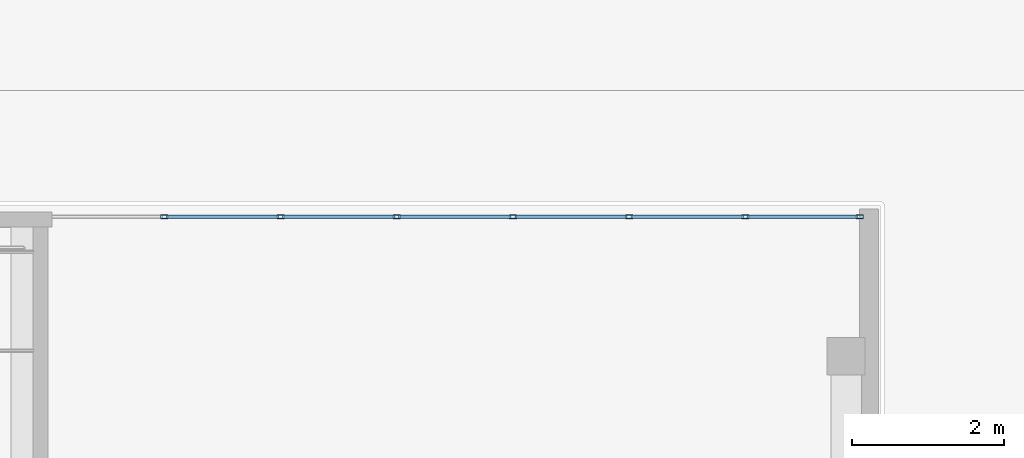
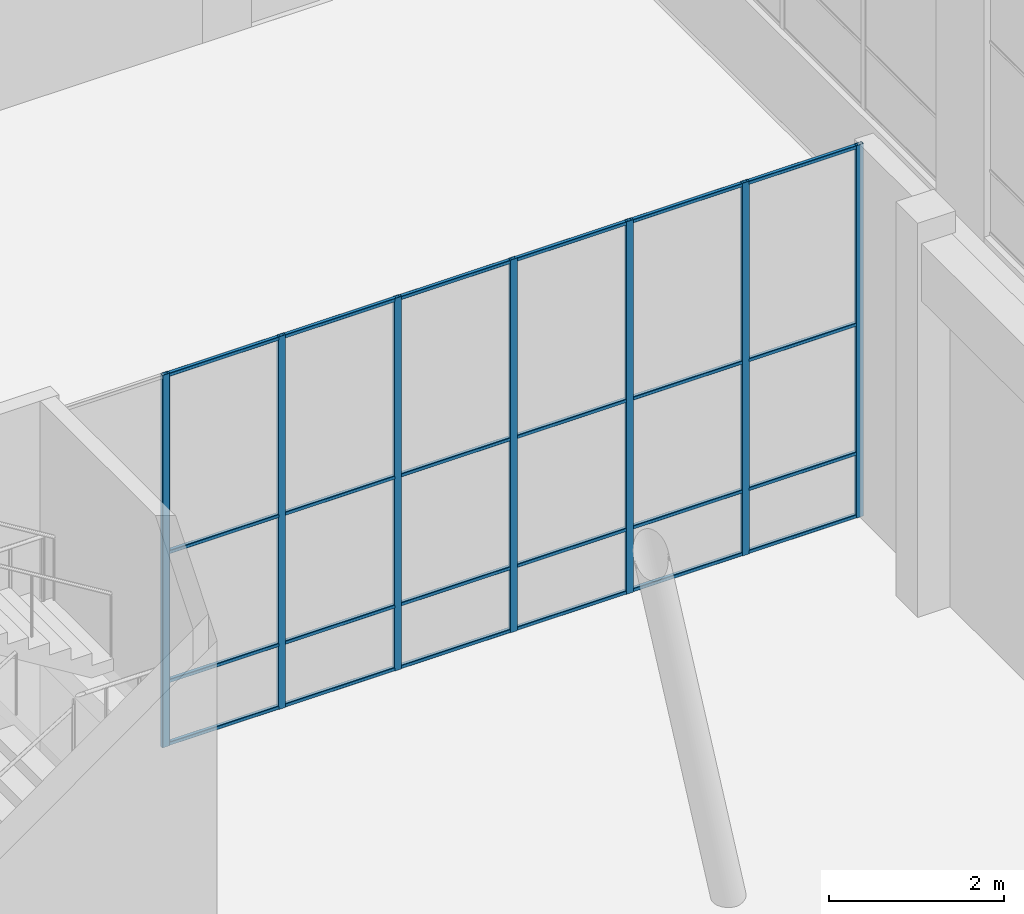
# One storey, part 24 of 72: 31 members, 1 element without a shape of its own.
"""IFC4 building model written with IfcOpenShell, lengths in metres."""

import ifcopenshell
import ifcopenshell.guid

model = None  # the IFC model being written
_history = None  # IfcOwnerHistory: only IFC2X3 demands one
_inside = {}  # id of a spatial element -> (the spatial element, [elements in it])
_under = {}  # id of a project, library or spatial element -> (it, [spatial elements below it])
_declared = {}  # id of a project -> (the project, [libraries it declares])
_typed = {}  # id of a type object -> (the type object, [elements of that type])
_made_of = {}  # id of a material, layer set ... -> (it, [elements and type objects made of it])


def new_model(schema):
    """Start an empty IFC model of exactly this schema.

    Asked for "IFC4X3", IfcOpenShell would pick the latest addendum, in which some entities
    have other attributes; the version numbers below select the first issue.
    IFC2X3 requires an IfcOwnerHistory on every rooted entity: one is made here for all.
    """
    global model, _history
    if schema == "IFC4X3":
        model = ifcopenshell.file(schema_version=(4, 3, 0, 0))
    else:
        model = ifcopenshell.file(schema=schema)
    _inside.clear()
    _under.clear()
    _declared.clear()
    _typed.clear()
    _made_of.clear()
    _history = None
    if model.schema == "IFC2X3":
        org = make("IfcOrganization", Name="unknown")
        user = make(
            "IfcPersonAndOrganization",
            ThePerson=make("IfcPerson", FamilyName="unknown"),
            TheOrganization=org,
        )
        app = make(
            "IfcApplication",
            ApplicationDeveloper=org,
            Version="unknown",
            ApplicationFullName="unknown",
            ApplicationIdentifier="unknown",
        )
        _history = make(
            "IfcOwnerHistory",
            OwningUser=user,
            OwningApplication=app,
            ChangeAction="ADDED",
            CreationDate=0,
        )
    return model


def make(cls, **values):
    """One entity of the class cls with the attributes given. An attribute that is None is left unset."""
    return model.create_entity(
        cls, **{name: value for name, value in values.items() if value is not None}
    )


def rooted(cls, **values):
    """An entity with a GlobalId (a new one), such as an element, a storey or a relation."""
    return make(cls, GlobalId=ifcopenshell.guid.new(), OwnerHistory=_history, **values)


def si_unit(unit_type, name, prefix=None):
    """IfcSIUnit, for example si_unit("LENGTHUNIT", "METRE", prefix="MILLI")."""
    return make("IfcSIUnit", UnitType=unit_type, Prefix=prefix, Name=name)


def assignment(units):
    """IfcUnitAssignment: the units of a project."""
    return None if units is None else make("IfcUnitAssignment", Units=units)


def point(xyz):
    """IfcCartesianPoint."""
    return None if xyz is None else make("IfcCartesianPoint", Coordinates=xyz)


def direction(xyz):
    """IfcDirection."""
    return None if xyz is None else make("IfcDirection", DirectionRatios=xyz)


def frame(location, z_axis=None, x_axis=None):
    """IfcAxis2Placement3D, a coordinate frame: its origin and axes. An axis left out is left unset."""
    return make(
        "IfcAxis2Placement3D",
        Location=point(location),
        Axis=direction(z_axis),
        RefDirection=direction(x_axis),
    )


def frame_2d(location, x_axis=None):
    """IfcAxis2Placement2D, a coordinate frame in the plane: its origin and x axis."""
    return make(
        "IfcAxis2Placement2D", Location=point(location), RefDirection=direction(x_axis)
    )


def origin():
    """The frame at (0, 0, 0) with its axes left unset."""
    return frame((0.0, 0.0, 0.0))


def origin_2d():
    """The frame at (0, 0) in the plane with its x axis left unset."""
    return frame_2d((0.0, 0.0))


def place(relative_to, where):
    """IfcLocalPlacement: puts the frame where relative to a parent placement (None: the world)."""
    return make(
        "IfcLocalPlacement", PlacementRelTo=relative_to, RelativePlacement=where
    )


def context(
    kind, dimensions, precision=None, world=None, true_north=None, identifier=None
):
    """IfcGeometricRepresentationContext, for example the 3D "Model" context."""
    return make(
        "IfcGeometricRepresentationContext",
        ContextIdentifier=identifier,
        ContextType=kind,
        CoordinateSpaceDimension=dimensions,
        Precision=precision,
        WorldCoordinateSystem=world,
        TrueNorth=true_north,
    )


def subcontext(parent, identifier, kind, view, scale=None):
    """IfcGeometricRepresentationSubContext, for example "Body" below "Model"."""
    return make(
        "IfcGeometricRepresentationSubContext",
        ContextIdentifier=identifier,
        ContextType=kind,
        ParentContext=parent,
        TargetScale=scale,
        TargetView=view,
    )


def project(units=None, contexts=None):
    """IfcProject with its units and contexts."""
    return rooted(
        "IfcProject",
        Name="project",
        RepresentationContexts=contexts,
        UnitsInContext=assignment(units),
    )


def spatial(cls, under=None, at=None, **own):
    """A site, building, storey or space (cls), placed at a placement, below another one or the project."""
    s = rooted(cls, ObjectPlacement=at, **own)
    if under is not None:
        _under.setdefault(under.id(), (under, []))[1].append(s)
    return s


def profile(cls, at=None, kind="AREA", **sizes):
    """A parametric profile (cls). Its sizes go by their IFC names, for example OverallWidth=200.0."""
    return make(cls, ProfileType=kind, Position=at, **sizes)


def hollow_rectangle(**sizes):
    """IfcRectangleHollowProfileDef."""
    return profile("IfcRectangleHollowProfileDef", **sizes)


def extrude(swept, where, along, depth):
    """IfcExtrudedAreaSolid: the profile swept, set in the frame where, extruded along a direction by depth."""
    return make(
        "IfcExtrudedAreaSolid",
        SweptArea=swept,
        Position=where,
        ExtrudedDirection=direction(along),
        Depth=depth,
    )


def shape(context_of_items, identifier, shape_type, items):
    """IfcShapeRepresentation: the items that make up one representation, for example the "Body"."""
    return make(
        "IfcShapeRepresentation",
        ContextOfItems=context_of_items,
        RepresentationIdentifier=identifier,
        RepresentationType=shape_type,
        Items=items,
    )


def material(Name=None, Category=None):
    """IfcMaterial."""
    return make("IfcMaterial", Name=Name, Category=Category)


def layer(
    of_material, thickness, ventilated=None, Name=None, Category=None, Priority=None
):
    """IfcMaterialLayer: one layer of a wall or slab, of a material (None: an air gap)."""
    return make(
        "IfcMaterialLayer",
        Material=of_material,
        LayerThickness=thickness,
        IsVentilated=ventilated,
        Name=Name,
        Category=Category,
        Priority=Priority,
    )


def layer_set(layers, Name=None):
    """IfcMaterialLayerSet."""
    return make("IfcMaterialLayerSet", MaterialLayers=layers, LayerSetName=Name)


def material_profile(
    of_material, cross_section, Name=None, Category=None, Priority=None
):
    """IfcMaterialProfile: a cross section and its material."""
    return make(
        "IfcMaterialProfile",
        Name=Name,
        Material=of_material,
        Profile=cross_section,
        Priority=Priority,
        Category=Category,
    )


def profile_set(profiles, Name=None, composite=None):
    """IfcMaterialProfileSet."""
    return make(
        "IfcMaterialProfileSet",
        Name=Name,
        MaterialProfiles=profiles,
        CompositeProfile=composite,
    )


def made_of(thing, what):
    """Note that an element or type object is made of a material, layer set ...; save() writes the relation."""
    if what is not None:
        _made_of.setdefault(what.id(), (what, []))[1].append(thing)
    return thing


def type_object(cls, material=None, **own):
    """A type object (cls), such as IfcWallType, which elements share."""
    return made_of(rooted(cls, **own), material)


def element(
    cls,
    number,
    at=None,
    inside=None,
    cuts=None,
    type_object=None,
    material=None,
    context=None,
    identifier="Body",
    shape_type=None,
    held_by="IfcProductDefinitionShape",
    body=None,
    shapes=None,
    **own,
):
    """One element of the class cls, such as IfcWall. Its Tag is "e" and its number.

    at: its placement. inside: the storey or other place that contains it. cuts: it is an
    opening in that element (IfcRelVoidsElement). A single representation is given by context,
    identifier, shape_type and body (its items); several are given by shapes. held_by: the class
    of the entity that holds the representations. save() writes the other relations.
    """
    e = rooted(cls, Tag="e%d" % number, ObjectPlacement=at, **own)
    if body is not None:
        shapes = [shape(context, identifier, shape_type, body)]
    if shapes is not None:
        e.Representation = make(held_by, Representations=shapes)
    if inside is not None:
        _inside.setdefault(inside.id(), (inside, []))[1].append(e)
    if cuts is not None:
        rooted(
            "IfcRelVoidsElement", RelatingBuildingElement=cuts, RelatedOpeningElement=e
        )
    if type_object is not None:
        _typed.setdefault(type_object.id(), (type_object, []))[1].append(e)
    return made_of(e, material)


def aggregate(whole, parts):
    """IfcRelAggregates: a whole, such as a stair, and the parts it consists of."""
    return rooted("IfcRelAggregates", RelatingObject=whole, RelatedObjects=parts)


def save(model, path):
    """Write the relations noted so far, then the file.

    IfcRelAggregates (storeys below a building ...), IfcRelContainedInSpatialStructure (elements
    in a storey), IfcRelDefinesByType, IfcRelAssociatesMaterial and IfcRelDeclares: one each for
    every whole, place, type object, material and project.
    """
    for whole, parts in _under.values():
        aggregate(whole, parts)
    for where, things in _inside.values():
        rooted(
            "IfcRelContainedInSpatialStructure",
            RelatedElements=things,
            RelatingStructure=where,
        )
    for kind, things in _typed.values():
        rooted("IfcRelDefinesByType", RelatedObjects=things, RelatingType=kind)
    for what, things in _made_of.values():
        rooted("IfcRelAssociatesMaterial", RelatedObjects=things, RelatingMaterial=what)
    for by, libraries in _declared.values():
        rooted("IfcRelDeclares", RelatingContext=by, RelatedDefinitions=libraries)
    model.write(path)


model = new_model("IFC4")

# Units and contexts
model_context = context("Model", 3, precision=1e-05, world=origin(), true_north=direction((0.0, 1.0)))
body_context = subcontext(model_context, "Body", "Model", "MODEL_VIEW")
ifc_project = project(units=[si_unit("LENGTHUNIT", "METRE"), si_unit("AREAUNIT", "SQUARE_METRE"), si_unit("VOLUMEUNIT", "CUBIC_METRE"), si_unit("PLANEANGLEUNIT", "RADIAN"), si_unit("MASSUNIT", "GRAM", prefix="KILO")], contexts=[model_context])

# Site, building, storey
site_placement = place(None, origin())
site = spatial("IfcSite", under=ifc_project, at=site_placement, CompositionType="ELEMENT")
building_placement = place(site_placement, origin())
building = spatial("IfcBuilding", under=site, at=building_placement, Name="Tuart Plaza Theatre", CompositionType="ELEMENT")
storey_placement = place(building_placement, origin())
storey = spatial("IfcBuildingStorey", under=building, at=storey_placement, Name="L00", CompositionType="ELEMENT", Elevation=0.0)

# Curtain wall, members
ifc_material_1 = material(Name="Aluminium and glass", Category="aluminium")
ifc_layer = layer(ifc_material_1, 0.10009765625)
ifc_layer_set = layer_set([ifc_layer], Name="CURTAIN WALL 1500 module")
curtain_wall_type = type_object("IfcCurtainWallType", Name="CURTAIN WALL 1500 module", PredefinedType="NOTDEFINED", material=ifc_layer_set)
curtain_wall_placement = place(storey_placement, origin())
curtain_wall = element("IfcCurtainWall", 1, at=curtain_wall_placement, inside=storey, type_object=curtain_wall_type, Name="CW12", PredefinedType="NOTDEFINED")
ifc_material_2 = material(Name="Aluminium 6063-T5", Category="aluminium")
ifc_material_profile_1 = material_profile(ifc_material_2, hollow_rectangle(XDim=0.050048828125, YDim=0.10009765625, WallThickness=0.00390625, InnerFilletRadius=0.00390625, OuterFilletRadius=0.008056640625, at=origin_2d()), Name="RHS 100x50x4")
ifc_profile_set_1 = profile_set([ifc_material_profile_1], Name="Aluminium 6063-T5")
member_type_1 = type_object("IfcMemberType", Name="MULLION RHS 100x50x4", PredefinedType="MULLION", material=ifc_profile_set_1)
member_1_placement = place(storey_placement, frame((100.930419921875, 79.8369140625, 0.0), z_axis=(0.0, 0.0, 1.0), x_axis=(0.0, 1.0, 0.0)))
member_1 = element("IfcMember", 2, at=member_1_placement, type_object=member_type_1, Name="CW12 mullion 2", PredefinedType="MULLION", context=body_context, shape_type="SweptSolid", body=[
    extrude(hollow_rectangle(XDim=0.050048828125, YDim=0.10009765625, WallThickness=0.00390625, InnerFilletRadius=0.00390625, OuterFilletRadius=0.008056640625, at=origin_2d()), origin(), (0.0, 0.0, 1.0), 5.199951171875),
])
member_2_placement = place(storey_placement, frame((102.4609375, 79.8369140625, 0.0), z_axis=(0.0, 0.0, 1.0), x_axis=(0.0, 1.0, 0.0)))
member_2 = element("IfcMember", 3, at=member_2_placement, type_object=member_type_1, Name="CW12 mullion 3", PredefinedType="MULLION", context=body_context, shape_type="SweptSolid", body=[
    extrude(hollow_rectangle(XDim=0.050048828125, YDim=0.10009765625, WallThickness=0.00390625, InnerFilletRadius=0.00390625, OuterFilletRadius=0.008056640625, at=origin_2d()), origin(), (0.0, 0.0, 1.0), 5.199951171875),
])
member_3_placement = place(storey_placement, frame((103.9912109375, 79.8369140625, 0.0), z_axis=(0.0, 0.0, 1.0), x_axis=(0.0, 1.0, 0.0)))
member_3 = element("IfcMember", 4, at=member_3_placement, type_object=member_type_1, Name="CW12 mullion 4", PredefinedType="MULLION", context=body_context, shape_type="SweptSolid", body=[
    extrude(hollow_rectangle(XDim=0.050048828125, YDim=0.10009765625, WallThickness=0.00390625, InnerFilletRadius=0.00390625, OuterFilletRadius=0.008056640625, at=origin_2d()), origin(), (0.0, 0.0, 1.0), 5.199951171875),
])
member_4_placement = place(storey_placement, frame((105.521728515625, 79.8369140625, 0.0), z_axis=(0.0, 0.0, 1.0), x_axis=(0.0, 1.0, 0.0)))
member_4 = element("IfcMember", 5, at=member_4_placement, type_object=member_type_1, Name="CW12 mullion 5", PredefinedType="MULLION", context=body_context, shape_type="SweptSolid", body=[
    extrude(hollow_rectangle(XDim=0.050048828125, YDim=0.10009765625, WallThickness=0.00390625, InnerFilletRadius=0.00390625, OuterFilletRadius=0.008056640625, at=origin_2d()), origin(), (0.0, 0.0, 1.0), 5.199951171875),
])
member_5_placement = place(storey_placement, frame((107.05224609375, 79.8369140625, 0.0), z_axis=(0.0, 0.0, 1.0), x_axis=(0.0, 1.0, 0.0)))
member_5 = element("IfcMember", 6, at=member_5_placement, type_object=member_type_1, Name="CW12 mullion 6", PredefinedType="MULLION", context=body_context, shape_type="SweptSolid", body=[
    extrude(hollow_rectangle(XDim=0.050048828125, YDim=0.10009765625, WallThickness=0.00390625, InnerFilletRadius=0.00390625, OuterFilletRadius=0.008056640625, at=origin_2d()), origin(), (0.0, 0.0, 1.0), 5.199951171875),
])
member_6_placement = place(storey_placement, frame((108.58251953125, 79.8369140625, 0.0), z_axis=(0.0, 0.0, 1.0), x_axis=(0.0, 1.0, 0.0)))
member_6 = element("IfcMember", 7, at=member_6_placement, type_object=member_type_1, Name="CW12 mullion 7", PredefinedType="MULLION", context=body_context, shape_type="SweptSolid", body=[
    extrude(hollow_rectangle(XDim=0.050048828125, YDim=0.10009765625, WallThickness=0.00390625, InnerFilletRadius=0.00390625, OuterFilletRadius=0.008056640625, at=origin_2d()), origin(), (0.0, 0.0, 1.0), 5.199951171875),
])
member_7_placement = place(storey_placement, frame((110.087890625, 79.8369140625, 0.0), z_axis=(0.0, 0.0, 1.0), x_axis=(0.0, 1.0, 0.0)))
member_7 = element("IfcMember", 8, at=member_7_placement, type_object=member_type_1, Name="CW12 mullion 8", PredefinedType="MULLION", context=body_context, shape_type="SweptSolid", body=[
    extrude(hollow_rectangle(XDim=0.050048828125, YDim=0.10009765625, WallThickness=0.00390625, InnerFilletRadius=0.00390625, OuterFilletRadius=0.008056640625, at=origin_2d()), origin(), (0.0, 0.0, 1.0), 5.199951171875),
])
ifc_material_3 = material(Name="Aluminium 6063-T5", Category="aluminium")
ifc_material_profile_2 = material_profile(ifc_material_3, hollow_rectangle(XDim=0.050048828125, YDim=0.050048828125, WallThickness=0.00390625, InnerFilletRadius=0.00390625, OuterFilletRadius=0.008056640625, at=origin_2d()), Name="RHS 50x50x4")
ifc_profile_set_2 = profile_set([ifc_material_profile_2], Name="Aluminium 6063-T5")
member_type_2 = type_object("IfcMemberType", Name="TRANSOM RHS 50x50x4", PredefinedType="USERDEFINED", material=ifc_profile_set_2)
member_8_placement = place(storey_placement, frame((100.955322265625, 79.8369140625, 0.02490234375), z_axis=(1.0, 0.0, 0.0), x_axis=(0.0, 1.0, 0.0)))
member_8 = element("IfcMember", 9, at=member_8_placement, type_object=member_type_2, Name="CW12 transom 2.1", ObjectType="TRANSOM", PredefinedType="USERDEFINED", context=body_context, shape_type="SweptSolid", body=[
    extrude(hollow_rectangle(XDim=0.050048828125, YDim=0.050048828125, WallThickness=0.00390625, InnerFilletRadius=0.00390625, OuterFilletRadius=0.008056640625, at=origin_2d()), origin(), (0.0, 0.0, 1.0), 1.48046875),
])
member_9_placement = place(storey_placement, frame((100.955322265625, 79.8369140625, 0.89990234375), z_axis=(1.0, 0.0, 0.0), x_axis=(0.0, 1.0, 0.0)))
member_9 = element("IfcMember", 10, at=member_9_placement, type_object=member_type_2, Name="CW12 transom 2.2", ObjectType="TRANSOM", PredefinedType="USERDEFINED", context=body_context, shape_type="SweptSolid", body=[
    extrude(hollow_rectangle(XDim=0.050048828125, YDim=0.050048828125, WallThickness=0.00390625, InnerFilletRadius=0.00390625, OuterFilletRadius=0.008056640625, at=origin_2d()), origin(), (0.0, 0.0, 1.0), 1.48046875),
])
member_10_placement = place(storey_placement, frame((100.955322265625, 79.8369140625, 2.699951171875), z_axis=(1.0, 0.0, 0.0), x_axis=(0.0, 1.0, 0.0)))
member_10 = element("IfcMember", 11, at=member_10_placement, type_object=member_type_2, Name="CW12 transom 2.3", ObjectType="TRANSOM", PredefinedType="USERDEFINED", context=body_context, shape_type="SweptSolid", body=[
    extrude(hollow_rectangle(XDim=0.050048828125, YDim=0.050048828125, WallThickness=0.00390625, InnerFilletRadius=0.00390625, OuterFilletRadius=0.008056640625, at=origin_2d()), origin(), (0.0, 0.0, 1.0), 1.48046875),
])
member_11_placement = place(storey_placement, frame((100.955322265625, 79.8369140625, 5.175048828125), z_axis=(1.0, 0.0, 0.0), x_axis=(0.0, 1.0, 0.0)))
member_11 = element("IfcMember", 12, at=member_11_placement, type_object=member_type_2, Name="CW12 transom 2.4", ObjectType="TRANSOM", PredefinedType="USERDEFINED", context=body_context, shape_type="SweptSolid", body=[
    extrude(hollow_rectangle(XDim=0.050048828125, YDim=0.050048828125, WallThickness=0.00390625, InnerFilletRadius=0.00390625, OuterFilletRadius=0.008056640625, at=origin_2d()), origin(), (0.0, 0.0, 1.0), 1.48046875),
])
member_12_placement = place(storey_placement, frame((102.48583984375, 79.8369140625, 0.02490234375), z_axis=(1.0, 0.0, 0.0), x_axis=(0.0, 1.0, 0.0)))
member_12 = element("IfcMember", 13, at=member_12_placement, type_object=member_type_2, Name="CW12 transom 3.1", ObjectType="TRANSOM", PredefinedType="USERDEFINED", context=body_context, shape_type="SweptSolid", body=[
    extrude(hollow_rectangle(XDim=0.050048828125, YDim=0.050048828125, WallThickness=0.00390625, InnerFilletRadius=0.00390625, OuterFilletRadius=0.008056640625, at=origin_2d()), origin(), (0.0, 0.0, 1.0), 1.48046875),
])
member_13_placement = place(storey_placement, frame((102.48583984375, 79.8369140625, 0.89990234375), z_axis=(1.0, 0.0, 0.0), x_axis=(0.0, 1.0, 0.0)))
member_13 = element("IfcMember", 14, at=member_13_placement, type_object=member_type_2, Name="CW12 transom 3.2", ObjectType="TRANSOM", PredefinedType="USERDEFINED", context=body_context, shape_type="SweptSolid", body=[
    extrude(hollow_rectangle(XDim=0.050048828125, YDim=0.050048828125, WallThickness=0.00390625, InnerFilletRadius=0.00390625, OuterFilletRadius=0.008056640625, at=origin_2d()), origin(), (0.0, 0.0, 1.0), 1.48046875),
])
member_14_placement = place(storey_placement, frame((102.48583984375, 79.8369140625, 2.699951171875), z_axis=(1.0, 0.0, 0.0), x_axis=(0.0, 1.0, 0.0)))
member_14 = element("IfcMember", 15, at=member_14_placement, type_object=member_type_2, Name="CW12 transom 3.3", ObjectType="TRANSOM", PredefinedType="USERDEFINED", context=body_context, shape_type="SweptSolid", body=[
    extrude(hollow_rectangle(XDim=0.050048828125, YDim=0.050048828125, WallThickness=0.00390625, InnerFilletRadius=0.00390625, OuterFilletRadius=0.008056640625, at=origin_2d()), origin(), (0.0, 0.0, 1.0), 1.48046875),
])
member_15_placement = place(storey_placement, frame((102.48583984375, 79.8369140625, 5.175048828125), z_axis=(1.0, 0.0, 0.0), x_axis=(0.0, 1.0, 0.0)))
member_15 = element("IfcMember", 16, at=member_15_placement, type_object=member_type_2, Name="CW12 transom 3.4", ObjectType="TRANSOM", PredefinedType="USERDEFINED", context=body_context, shape_type="SweptSolid", body=[
    extrude(hollow_rectangle(XDim=0.050048828125, YDim=0.050048828125, WallThickness=0.00390625, InnerFilletRadius=0.00390625, OuterFilletRadius=0.008056640625, at=origin_2d()), origin(), (0.0, 0.0, 1.0), 1.48046875),
])
member_16_placement = place(storey_placement, frame((104.016357421875, 79.8369140625, 0.02490234375), z_axis=(1.0, 0.0, 0.0), x_axis=(0.0, 1.0, 0.0)))
member_16 = element("IfcMember", 17, at=member_16_placement, type_object=member_type_2, Name="CW12 transom 4.1", ObjectType="TRANSOM", PredefinedType="USERDEFINED", context=body_context, shape_type="SweptSolid", body=[
    extrude(hollow_rectangle(XDim=0.050048828125, YDim=0.050048828125, WallThickness=0.00390625, InnerFilletRadius=0.00390625, OuterFilletRadius=0.008056640625, at=origin_2d()), origin(), (0.0, 0.0, 1.0), 1.48046875),
])
member_17_placement = place(storey_placement, frame((104.016357421875, 79.8369140625, 0.89990234375), z_axis=(1.0, 0.0, 0.0), x_axis=(0.0, 1.0, 0.0)))
member_17 = element("IfcMember", 18, at=member_17_placement, type_object=member_type_2, Name="CW12 transom 4.2", ObjectType="TRANSOM", PredefinedType="USERDEFINED", context=body_context, shape_type="SweptSolid", body=[
    extrude(hollow_rectangle(XDim=0.050048828125, YDim=0.050048828125, WallThickness=0.00390625, InnerFilletRadius=0.00390625, OuterFilletRadius=0.008056640625, at=origin_2d()), origin(), (0.0, 0.0, 1.0), 1.48046875),
])
member_18_placement = place(storey_placement, frame((104.016357421875, 79.8369140625, 2.699951171875), z_axis=(1.0, 0.0, 0.0), x_axis=(0.0, 1.0, 0.0)))
member_18 = element("IfcMember", 19, at=member_18_placement, type_object=member_type_2, Name="CW12 transom 4.3", ObjectType="TRANSOM", PredefinedType="USERDEFINED", context=body_context, shape_type="SweptSolid", body=[
    extrude(hollow_rectangle(XDim=0.050048828125, YDim=0.050048828125, WallThickness=0.00390625, InnerFilletRadius=0.00390625, OuterFilletRadius=0.008056640625, at=origin_2d()), origin(), (0.0, 0.0, 1.0), 1.48046875),
])
member_19_placement = place(storey_placement, frame((104.016357421875, 79.8369140625, 5.175048828125), z_axis=(1.0, 0.0, 0.0), x_axis=(0.0, 1.0, 0.0)))
member_19 = element("IfcMember", 20, at=member_19_placement, type_object=member_type_2, Name="CW12 transom 4.4", ObjectType="TRANSOM", PredefinedType="USERDEFINED", context=body_context, shape_type="SweptSolid", body=[
    extrude(hollow_rectangle(XDim=0.050048828125, YDim=0.050048828125, WallThickness=0.00390625, InnerFilletRadius=0.00390625, OuterFilletRadius=0.008056640625, at=origin_2d()), origin(), (0.0, 0.0, 1.0), 1.48046875),
])
member_20_placement = place(storey_placement, frame((105.546630859375, 79.8369140625, 0.02490234375), z_axis=(1.0, 0.0, 0.0), x_axis=(0.0, 1.0, 0.0)))
member_20 = element("IfcMember", 21, at=member_20_placement, type_object=member_type_2, Name="CW12 transom 5.1", ObjectType="TRANSOM", PredefinedType="USERDEFINED", context=body_context, shape_type="SweptSolid", body=[
    extrude(hollow_rectangle(XDim=0.050048828125, YDim=0.050048828125, WallThickness=0.00390625, InnerFilletRadius=0.00390625, OuterFilletRadius=0.008056640625, at=origin_2d()), origin(), (0.0, 0.0, 1.0), 1.48046875),
])
member_21_placement = place(storey_placement, frame((105.546630859375, 79.8369140625, 0.89990234375), z_axis=(1.0, 0.0, 0.0), x_axis=(0.0, 1.0, 0.0)))
member_21 = element("IfcMember", 22, at=member_21_placement, type_object=member_type_2, Name="CW12 transom 5.2", ObjectType="TRANSOM", PredefinedType="USERDEFINED", context=body_context, shape_type="SweptSolid", body=[
    extrude(hollow_rectangle(XDim=0.050048828125, YDim=0.050048828125, WallThickness=0.00390625, InnerFilletRadius=0.00390625, OuterFilletRadius=0.008056640625, at=origin_2d()), origin(), (0.0, 0.0, 1.0), 1.48046875),
])
member_22_placement = place(storey_placement, frame((105.546630859375, 79.8369140625, 2.699951171875), z_axis=(1.0, 0.0, 0.0), x_axis=(0.0, 1.0, 0.0)))
member_22 = element("IfcMember", 23, at=member_22_placement, type_object=member_type_2, Name="CW12 transom 5.3", ObjectType="TRANSOM", PredefinedType="USERDEFINED", context=body_context, shape_type="SweptSolid", body=[
    extrude(hollow_rectangle(XDim=0.050048828125, YDim=0.050048828125, WallThickness=0.00390625, InnerFilletRadius=0.00390625, OuterFilletRadius=0.008056640625, at=origin_2d()), origin(), (0.0, 0.0, 1.0), 1.48046875),
])
member_23_placement = place(storey_placement, frame((105.546630859375, 79.8369140625, 5.175048828125), z_axis=(1.0, 0.0, 0.0), x_axis=(0.0, 1.0, 0.0)))
member_23 = element("IfcMember", 24, at=member_23_placement, type_object=member_type_2, Name="CW12 transom 5.4", ObjectType="TRANSOM", PredefinedType="USERDEFINED", context=body_context, shape_type="SweptSolid", body=[
    extrude(hollow_rectangle(XDim=0.050048828125, YDim=0.050048828125, WallThickness=0.00390625, InnerFilletRadius=0.00390625, OuterFilletRadius=0.008056640625, at=origin_2d()), origin(), (0.0, 0.0, 1.0), 1.48046875),
])
member_24_placement = place(storey_placement, frame((107.0771484375, 79.8369140625, 0.02490234375), z_axis=(1.0, 0.0, 0.0), x_axis=(0.0, 1.0, 0.0)))
member_24 = element("IfcMember", 25, at=member_24_placement, type_object=member_type_2, Name="CW12 transom 6.1", ObjectType="TRANSOM", PredefinedType="USERDEFINED", context=body_context, shape_type="SweptSolid", body=[
    extrude(hollow_rectangle(XDim=0.050048828125, YDim=0.050048828125, WallThickness=0.00390625, InnerFilletRadius=0.00390625, OuterFilletRadius=0.008056640625, at=origin_2d()), origin(), (0.0, 0.0, 1.0), 1.48046875),
])
member_25_placement = place(storey_placement, frame((107.0771484375, 79.8369140625, 0.89990234375), z_axis=(1.0, 0.0, 0.0), x_axis=(0.0, 1.0, 0.0)))
member_25 = element("IfcMember", 26, at=member_25_placement, type_object=member_type_2, Name="CW12 transom 6.2", ObjectType="TRANSOM", PredefinedType="USERDEFINED", context=body_context, shape_type="SweptSolid", body=[
    extrude(hollow_rectangle(XDim=0.050048828125, YDim=0.050048828125, WallThickness=0.00390625, InnerFilletRadius=0.00390625, OuterFilletRadius=0.008056640625, at=origin_2d()), origin(), (0.0, 0.0, 1.0), 1.48046875),
])
member_26_placement = place(storey_placement, frame((107.0771484375, 79.8369140625, 2.699951171875), z_axis=(1.0, 0.0, 0.0), x_axis=(0.0, 1.0, 0.0)))
member_26 = element("IfcMember", 27, at=member_26_placement, type_object=member_type_2, Name="CW12 transom 6.3", ObjectType="TRANSOM", PredefinedType="USERDEFINED", context=body_context, shape_type="SweptSolid", body=[
    extrude(hollow_rectangle(XDim=0.050048828125, YDim=0.050048828125, WallThickness=0.00390625, InnerFilletRadius=0.00390625, OuterFilletRadius=0.008056640625, at=origin_2d()), origin(), (0.0, 0.0, 1.0), 1.48046875),
])
member_27_placement = place(storey_placement, frame((107.0771484375, 79.8369140625, 5.175048828125), z_axis=(1.0, 0.0, 0.0), x_axis=(0.0, 1.0, 0.0)))
member_27 = element("IfcMember", 28, at=member_27_placement, type_object=member_type_2, Name="CW12 transom 6.4", ObjectType="TRANSOM", PredefinedType="USERDEFINED", context=body_context, shape_type="SweptSolid", body=[
    extrude(hollow_rectangle(XDim=0.050048828125, YDim=0.050048828125, WallThickness=0.00390625, InnerFilletRadius=0.00390625, OuterFilletRadius=0.008056640625, at=origin_2d()), origin(), (0.0, 0.0, 1.0), 1.48046875),
])
member_28_placement = place(storey_placement, frame((108.607666015625, 79.8369140625, 0.02490234375), z_axis=(1.0, 0.0, 0.0), x_axis=(0.0, 1.0, 0.0)))
member_28 = element("IfcMember", 29, at=member_28_placement, type_object=member_type_2, Name="CW12 transom 7.1", ObjectType="TRANSOM", PredefinedType="USERDEFINED", context=body_context, shape_type="SweptSolid", body=[
    extrude(hollow_rectangle(XDim=0.050048828125, YDim=0.050048828125, WallThickness=0.00390625, InnerFilletRadius=0.00390625, OuterFilletRadius=0.008056640625, at=origin_2d()), origin(), (0.0, 0.0, 1.0), 1.455322265625),
])
member_29_placement = place(storey_placement, frame((108.607666015625, 79.8369140625, 0.89990234375), z_axis=(1.0, 0.0, 0.0), x_axis=(0.0, 1.0, 0.0)))
member_29 = element("IfcMember", 30, at=member_29_placement, type_object=member_type_2, Name="CW12 transom 7.2", ObjectType="TRANSOM", PredefinedType="USERDEFINED", context=body_context, shape_type="SweptSolid", body=[
    extrude(hollow_rectangle(XDim=0.050048828125, YDim=0.050048828125, WallThickness=0.00390625, InnerFilletRadius=0.00390625, OuterFilletRadius=0.008056640625, at=origin_2d()), origin(), (0.0, 0.0, 1.0), 1.455322265625),
])
member_30_placement = place(storey_placement, frame((108.607666015625, 79.8369140625, 2.699951171875), z_axis=(1.0, 0.0, 0.0), x_axis=(0.0, 1.0, 0.0)))
member_30 = element("IfcMember", 31, at=member_30_placement, type_object=member_type_2, Name="CW12 transom 7.3", ObjectType="TRANSOM", PredefinedType="USERDEFINED", context=body_context, shape_type="SweptSolid", body=[
    extrude(hollow_rectangle(XDim=0.050048828125, YDim=0.050048828125, WallThickness=0.00390625, InnerFilletRadius=0.00390625, OuterFilletRadius=0.008056640625, at=origin_2d()), origin(), (0.0, 0.0, 1.0), 1.455322265625),
])
member_31_placement = place(storey_placement, frame((108.607666015625, 79.8369140625, 5.175048828125), z_axis=(1.0, 0.0, 0.0), x_axis=(0.0, 1.0, 0.0)))
member_31 = element("IfcMember", 32, at=member_31_placement, type_object=member_type_2, Name="CW12 transom 7.4", ObjectType="TRANSOM", PredefinedType="USERDEFINED", context=body_context, shape_type="SweptSolid", body=[
    extrude(hollow_rectangle(XDim=0.050048828125, YDim=0.050048828125, WallThickness=0.00390625, InnerFilletRadius=0.00390625, OuterFilletRadius=0.008056640625, at=origin_2d()), origin(), (0.0, 0.0, 1.0), 1.455322265625),
])
aggregate(curtain_wall, [member_1, member_2, member_3, member_4, member_5, member_6, member_7, member_8, member_9, member_10, member_11, member_12, member_13, member_14, member_15, member_16, member_17, member_18, member_19, member_20, member_21, member_22, member_23, member_24, member_25, member_26, member_27, member_28, member_29, member_30, member_31])

save(model, "model.ifc")
